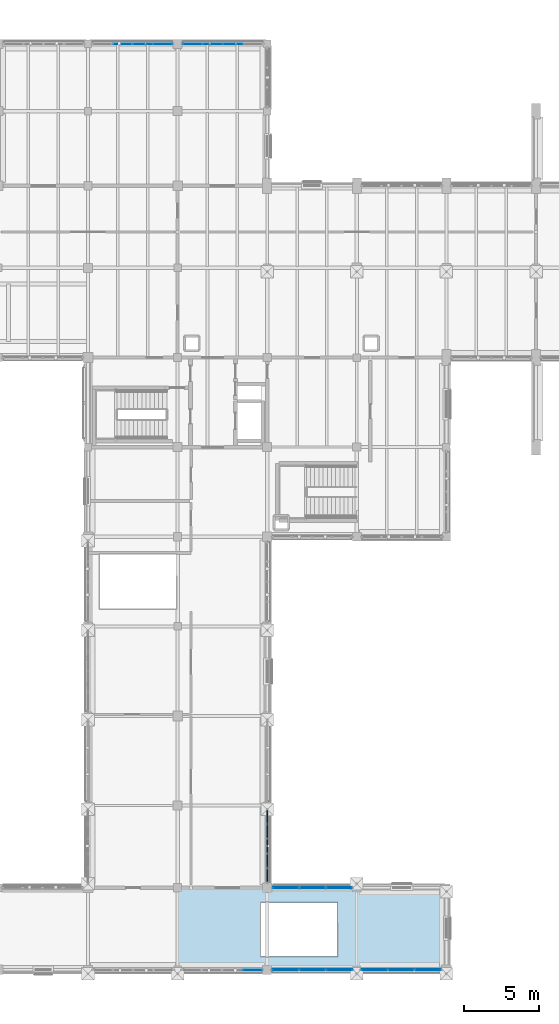
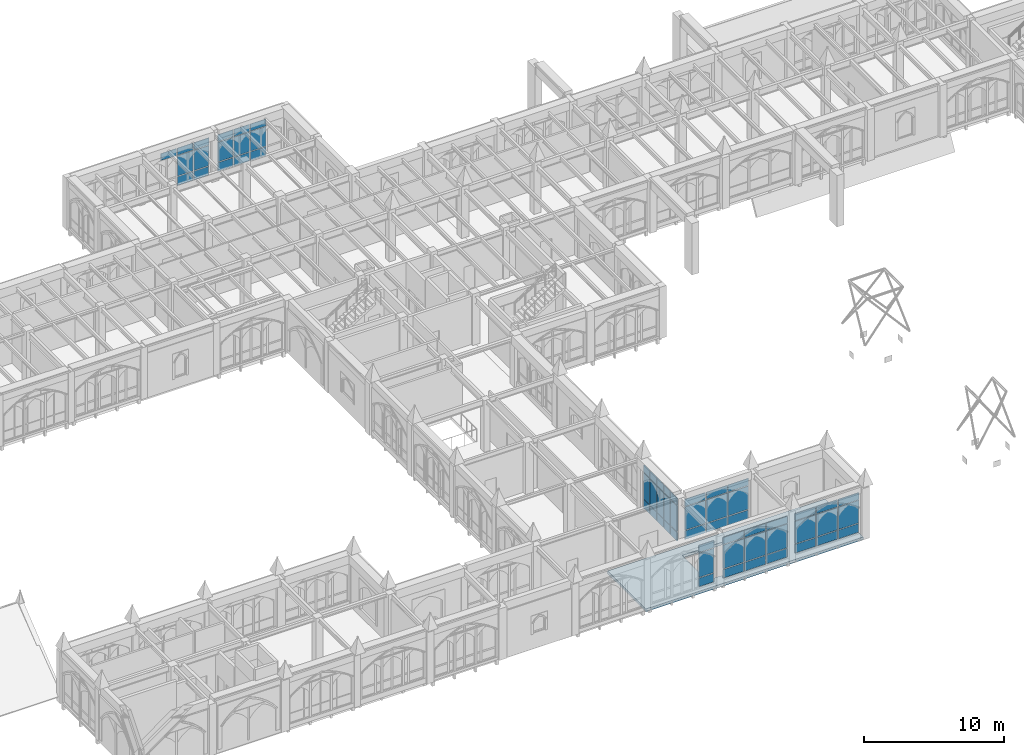
# One storey, part 91 of 143: 61 plates, 1 slab, 7 elements without a shape of their own.
"""IFC4 building model written with IfcOpenShell, lengths in metres."""

import ifcopenshell
import ifcopenshell.guid

model = None  # the IFC model being written
_history = None  # IfcOwnerHistory: only IFC2X3 demands one
_inside = {}  # id of a spatial element -> (the spatial element, [elements in it])
_under = {}  # id of a project, library or spatial element -> (it, [spatial elements below it])
_declared = {}  # id of a project -> (the project, [libraries it declares])
_typed = {}  # id of a type object -> (the type object, [elements of that type])
_made_of = {}  # id of a material, layer set ... -> (it, [elements and type objects made of it])


def new_model(schema):
    """Start an empty IFC model of exactly this schema.

    Asked for "IFC4X3", IfcOpenShell would pick the latest addendum, in which some entities
    have other attributes; the version numbers below select the first issue.
    IFC2X3 requires an IfcOwnerHistory on every rooted entity: one is made here for all.
    """
    global model, _history
    if schema == "IFC4X3":
        model = ifcopenshell.file(schema_version=(4, 3, 0, 0))
    else:
        model = ifcopenshell.file(schema=schema)
    _inside.clear()
    _under.clear()
    _declared.clear()
    _typed.clear()
    _made_of.clear()
    _history = None
    if model.schema == "IFC2X3":
        org = make("IfcOrganization", Name="unknown")
        user = make(
            "IfcPersonAndOrganization",
            ThePerson=make("IfcPerson", FamilyName="unknown"),
            TheOrganization=org,
        )
        app = make(
            "IfcApplication",
            ApplicationDeveloper=org,
            Version="unknown",
            ApplicationFullName="unknown",
            ApplicationIdentifier="unknown",
        )
        _history = make(
            "IfcOwnerHistory",
            OwningUser=user,
            OwningApplication=app,
            ChangeAction="ADDED",
            CreationDate=0,
        )
    return model


def make(cls, **values):
    """One entity of the class cls with the attributes given. An attribute that is None is left unset."""
    return model.create_entity(
        cls, **{name: value for name, value in values.items() if value is not None}
    )


def rooted(cls, **values):
    """An entity with a GlobalId (a new one), such as an element, a storey or a relation."""
    return make(cls, GlobalId=ifcopenshell.guid.new(), OwnerHistory=_history, **values)


def si_unit(unit_type, name, prefix=None):
    """IfcSIUnit, for example si_unit("LENGTHUNIT", "METRE", prefix="MILLI")."""
    return make("IfcSIUnit", UnitType=unit_type, Prefix=prefix, Name=name)


def assignment(units):
    """IfcUnitAssignment: the units of a project."""
    return None if units is None else make("IfcUnitAssignment", Units=units)


def point(xyz):
    """IfcCartesianPoint."""
    return None if xyz is None else make("IfcCartesianPoint", Coordinates=xyz)


def direction(xyz):
    """IfcDirection."""
    return None if xyz is None else make("IfcDirection", DirectionRatios=xyz)


def frame(location, z_axis=None, x_axis=None):
    """IfcAxis2Placement3D, a coordinate frame: its origin and axes. An axis left out is left unset."""
    return make(
        "IfcAxis2Placement3D",
        Location=point(location),
        Axis=direction(z_axis),
        RefDirection=direction(x_axis),
    )


def frame_2d(location, x_axis=None):
    """IfcAxis2Placement2D, a coordinate frame in the plane: its origin and x axis."""
    return make(
        "IfcAxis2Placement2D", Location=point(location), RefDirection=direction(x_axis)
    )


def origin():
    """The frame at (0, 0, 0) with its axes left unset."""
    return frame((0.0, 0.0, 0.0))


def origin_2d():
    """The frame at (0, 0) in the plane with its x axis left unset."""
    return frame_2d((0.0, 0.0))


def place(relative_to, where):
    """IfcLocalPlacement: puts the frame where relative to a parent placement (None: the world)."""
    return make(
        "IfcLocalPlacement", PlacementRelTo=relative_to, RelativePlacement=where
    )


def context(
    kind, dimensions, precision=None, world=None, true_north=None, identifier=None
):
    """IfcGeometricRepresentationContext, for example the 3D "Model" context."""
    return make(
        "IfcGeometricRepresentationContext",
        ContextIdentifier=identifier,
        ContextType=kind,
        CoordinateSpaceDimension=dimensions,
        Precision=precision,
        WorldCoordinateSystem=world,
        TrueNorth=true_north,
    )


def subcontext(parent, identifier, kind, view, scale=None):
    """IfcGeometricRepresentationSubContext, for example "Body" below "Model"."""
    return make(
        "IfcGeometricRepresentationSubContext",
        ContextIdentifier=identifier,
        ContextType=kind,
        ParentContext=parent,
        TargetScale=scale,
        TargetView=view,
    )


def project(units=None, contexts=None):
    """IfcProject with its units and contexts."""
    return rooted(
        "IfcProject",
        Name="project",
        RepresentationContexts=contexts,
        UnitsInContext=assignment(units),
    )


def spatial(cls, under=None, at=None, **own):
    """A site, building, storey or space (cls), placed at a placement, below another one or the project."""
    s = rooted(cls, ObjectPlacement=at, **own)
    if under is not None:
        _under.setdefault(under.id(), (under, []))[1].append(s)
    return s


def polyline(points):
    """IfcPolyline through the points."""
    return make("IfcPolyline", Points=[point(p) for p in points])


def profile(cls, at=None, kind="AREA", **sizes):
    """A parametric profile (cls). Its sizes go by their IFC names, for example OverallWidth=200.0."""
    return make(cls, ProfileType=kind, Position=at, **sizes)


def rectangle(**sizes):
    """IfcRectangleProfileDef."""
    return profile("IfcRectangleProfileDef", **sizes)


def outline(outer, holes=None, kind="AREA"):
    """IfcArbitraryClosedProfileDef: a profile drawn as a closed curve; with holes, ...WithVoids."""
    if holes is None:
        return make("IfcArbitraryClosedProfileDef", ProfileType=kind, OuterCurve=outer)
    return make(
        "IfcArbitraryProfileDefWithVoids",
        ProfileType=kind,
        OuterCurve=outer,
        InnerCurves=holes,
    )


def extrude(swept, where, along, depth):
    """IfcExtrudedAreaSolid: the profile swept, set in the frame where, extruded along a direction by depth."""
    return make(
        "IfcExtrudedAreaSolid",
        SweptArea=swept,
        Position=where,
        ExtrudedDirection=direction(along),
        Depth=depth,
    )


def shape(context_of_items, identifier, shape_type, items):
    """IfcShapeRepresentation: the items that make up one representation, for example the "Body"."""
    return make(
        "IfcShapeRepresentation",
        ContextOfItems=context_of_items,
        RepresentationIdentifier=identifier,
        RepresentationType=shape_type,
        Items=items,
    )


def material(Name=None, Category=None):
    """IfcMaterial."""
    return make("IfcMaterial", Name=Name, Category=Category)


def layer(
    of_material, thickness, ventilated=None, Name=None, Category=None, Priority=None
):
    """IfcMaterialLayer: one layer of a wall or slab, of a material (None: an air gap)."""
    return make(
        "IfcMaterialLayer",
        Material=of_material,
        LayerThickness=thickness,
        IsVentilated=ventilated,
        Name=Name,
        Category=Category,
        Priority=Priority,
    )


def layer_set(layers, Name=None):
    """IfcMaterialLayerSet."""
    return make("IfcMaterialLayerSet", MaterialLayers=layers, LayerSetName=Name)


def made_of(thing, what):
    """Note that an element or type object is made of a material, layer set ...; save() writes the relation."""
    if what is not None:
        _made_of.setdefault(what.id(), (what, []))[1].append(thing)
    return thing


def type_object(cls, material=None, **own):
    """A type object (cls), such as IfcWallType, which elements share."""
    return made_of(rooted(cls, **own), material)


def element(
    cls,
    number,
    at=None,
    inside=None,
    cuts=None,
    type_object=None,
    material=None,
    context=None,
    identifier="Body",
    shape_type=None,
    held_by="IfcProductDefinitionShape",
    body=None,
    shapes=None,
    **own,
):
    """One element of the class cls, such as IfcWall. Its Tag is "e" and its number.

    at: its placement. inside: the storey or other place that contains it. cuts: it is an
    opening in that element (IfcRelVoidsElement). A single representation is given by context,
    identifier, shape_type and body (its items); several are given by shapes. held_by: the class
    of the entity that holds the representations. save() writes the other relations.
    """
    e = rooted(cls, Tag="e%d" % number, ObjectPlacement=at, **own)
    if body is not None:
        shapes = [shape(context, identifier, shape_type, body)]
    if shapes is not None:
        e.Representation = make(held_by, Representations=shapes)
    if inside is not None:
        _inside.setdefault(inside.id(), (inside, []))[1].append(e)
    if cuts is not None:
        rooted(
            "IfcRelVoidsElement", RelatingBuildingElement=cuts, RelatedOpeningElement=e
        )
    if type_object is not None:
        _typed.setdefault(type_object.id(), (type_object, []))[1].append(e)
    return made_of(e, material)


def aggregate(whole, parts):
    """IfcRelAggregates: a whole, such as a stair, and the parts it consists of."""
    return rooted("IfcRelAggregates", RelatingObject=whole, RelatedObjects=parts)


def save(model, path):
    """Write the relations noted so far, then the file.

    IfcRelAggregates (storeys below a building ...), IfcRelContainedInSpatialStructure (elements
    in a storey), IfcRelDefinesByType, IfcRelAssociatesMaterial and IfcRelDeclares: one each for
    every whole, place, type object, material and project.
    """
    for whole, parts in _under.values():
        aggregate(whole, parts)
    for where, things in _inside.values():
        rooted(
            "IfcRelContainedInSpatialStructure",
            RelatedElements=things,
            RelatingStructure=where,
        )
    for kind, things in _typed.values():
        rooted("IfcRelDefinesByType", RelatedObjects=things, RelatingType=kind)
    for what, things in _made_of.values():
        rooted("IfcRelAssociatesMaterial", RelatedObjects=things, RelatingMaterial=what)
    for by, libraries in _declared.values():
        rooted("IfcRelDeclares", RelatingContext=by, RelatedDefinitions=libraries)
    model.write(path)


model = new_model("IFC4")

# Units and contexts
model_context = context("Model", 3, precision=1e-05, world=origin(), true_north=direction((0.0, 1.0)))
body_context = subcontext(model_context, "Body", "Model", "MODEL_VIEW")
ifc_project = project(units=[si_unit("LENGTHUNIT", "METRE"), si_unit("AREAUNIT", "SQUARE_METRE"), si_unit("VOLUMEUNIT", "CUBIC_METRE"), si_unit("PLANEANGLEUNIT", "RADIAN"), si_unit("MASSUNIT", "GRAM", prefix="KILO")], contexts=[model_context])

# Site, building, storey
site_placement = place(None, origin())
site = spatial("IfcSite", under=ifc_project, at=site_placement, CompositionType="ELEMENT")
building_placement = place(site_placement, origin())
building = spatial("IfcBuilding", under=site, at=building_placement, Name="Cumevento Cable Car Station", CompositionType="ELEMENT")
storey_placement = place(building_placement, frame((0.0, 0.0, 9.0)))
storey = spatial("IfcBuildingStorey", under=building, at=storey_placement, Name="L03", CompositionType="ELEMENT", Elevation=9.0)

# Slab
ifc_material_1 = material(Name="Concrete C40/50", Category="concrete")
ifc_layer_1 = layer(ifc_material_1, 0.236083984375)
ifc_layer_set_1 = layer_set([ifc_layer_1], Name="Concrete C40/50")
slab_type = type_object("IfcSlabType", Name="Concrete Deck FS-236 236", PredefinedType="FLOOR", material=ifc_layer_set_1)
slab_placement = place(storey_placement, frame((0.0, 0.0, -0.236083984375)))
element("IfcSlab", 1, at=slab_placement, inside=storey, type_object=slab_type, Name="Floor Slab FS-236 L03 B_V1b.2", PredefinedType="FLOOR", context=body_context, shape_type="SweptSolid", body=[
    extrude(outline(polyline([(64.0, 4.0), (82.0, 4.0), (82.0, 9.5), (64.0, 9.5), (64.0, 4.0)]), holes=[polyline([(69.60009765625, 4.89990234375), (74.699951171875, 4.89990234375), (74.699951171875, 8.5), (69.60009765625, 8.5), (69.60009765625, 4.89990234375)])]), origin(), (0.0, 0.0, 1.0), 0.236083984375),
])

# Curtain wall, plates
ifc_material_2 = material(Name="Anodised Bronze Aluminium AW-6063-T6", Category="aluminium")
ifc_layer_2 = layer(ifc_material_2, 0.23193359375)
ifc_layer_set_2 = layer_set([ifc_layer_2], Name="Anodised Bronze Aluminium AW-6063-T6")
curtain_wall_type_1 = type_object("IfcCurtainWallType", Name="Lancet Curtain Wall CW-13 1530", PredefinedType="NOTDEFINED", material=ifc_layer_set_2)
curtain_wall_1_placement = place(storey_placement, origin())
curtain_wall_1 = element("IfcCurtainWall", 2, at=curtain_wall_1_placement, inside=storey, type_object=curtain_wall_type_1, Name="Lancet Curtain Wall CW-13 L03 #76", PredefinedType="NOTDEFINED")
ifc_material_3 = material(Name="Solar Control Laminated Double Glazing", Category="glass")
ifc_layer_3 = layer(ifc_material_3, 0.0458984375)
ifc_layer_set_3 = layer_set([ifc_layer_3], Name="Solar Control Laminated Double Glazing")
plate_type_1 = type_object("IfcPlateType", Name="Glazed Panel CWP-07 46", PredefinedType="CURTAIN_PANEL", material=ifc_layer_set_3)
plate_1_placement = place(storey_placement, frame((69.00244140625, 4.0, 0.425048828125), z_axis=(0.0, 0.0, 1.0), x_axis=(-1.0, 0.0, 0.0)))
plate_1 = element("IfcPlate", 3, at=plate_1_placement, type_object=plate_type_1, Name="CW-13 panel 1.1", PredefinedType="CURTAIN_PANEL", context=body_context, shape_type="SweptSolid", body=[
    extrude(rectangle(XDim=1.264892578125, YDim=0.0458984375, at=origin_2d()), origin(), (0.0, 0.0, 1.0), 0.75244140625),
])
plate_2_placement = place(storey_placement, frame((69.00244140625, 4.0, 1.24267578125), z_axis=(0.0, 0.0, 1.0), x_axis=(-1.0, 0.0, 0.0)))
plate_2 = element("IfcPlate", 4, at=plate_2_placement, type_object=plate_type_1, Name="CW-13 panel 1.2", PredefinedType="CURTAIN_PANEL", context=body_context, shape_type="SweptSolid", body=[
    extrude(rectangle(XDim=1.264892578125, YDim=0.0458984375, at=origin_2d()), origin(), (0.0, 0.0, 1.0), 2.117919921875),
])
plate_3_placement = place(storey_placement, frame((69.00244140625, 4.0, 3.425537109375), z_axis=(0.0, 0.0, 1.0), x_axis=(-1.0, 0.0, 0.0)))
plate_3 = element("IfcPlate", 5, at=plate_3_placement, type_object=plate_type_1, Name="CW-13 panel 1.3", PredefinedType="CURTAIN_PANEL", context=body_context, shape_type="SweptSolid", body=[
    extrude(rectangle(XDim=1.264892578125, YDim=0.0458984375, at=origin_2d()), origin(), (0.0, 0.0, 1.0), 0.6025390625),
])
aggregate(curtain_wall_1, [plate_1, plate_2, plate_3])

ifc_material_4 = material(Name="Anodised Bronze Aluminium AW-6063-T6", Category="aluminium")
ifc_layer_4 = layer(ifc_material_4, 0.196044921875)
ifc_layer_set_4 = layer_set([ifc_layer_4], Name="Anodised Bronze Aluminium AW-6063-T6")
curtain_wall_type_2 = type_object("IfcCurtainWallType", Name="Lancet Curtain Wall CW-07 1290", PredefinedType="NOTDEFINED", material=ifc_layer_set_4)
curtain_wall_2_placement = place(storey_placement, origin())
curtain_wall_2 = element("IfcCurtainWall", 6, at=curtain_wall_2_placement, inside=storey, type_object=curtain_wall_type_2, Name="Lancet Curtain Wall CW-07 L03 #118", PredefinedType="NOTDEFINED")
plate_4_placement = place(storey_placement, frame((60.293701171875, 66.0, 3.16552734375), z_axis=(0.0, 0.0, 1.0), x_axis=(1.0, 0.0, 0.0)))
plate_4 = element("IfcPlate", 7, at=plate_4_placement, type_object=plate_type_1, Name="CW-07 panel 2.3", PredefinedType="CURTAIN_PANEL", context=body_context, shape_type="SweptSolid", body=[
    extrude(rectangle(XDim=1.297607421875, YDim=0.0458984375, at=origin_2d()), origin(), (0.0, 0.0, 1.0), 0.6025390625),
])
plate_5_placement = place(storey_placement, frame((61.65625, 66.0, 0.525146484375), z_axis=(0.0, 0.0, 1.0), x_axis=(1.0, 0.0, 0.0)))
plate_5 = element("IfcPlate", 8, at=plate_5_placement, type_object=plate_type_1, Name="CW-07 panel 3.1", PredefinedType="CURTAIN_PANEL", context=body_context, shape_type="SweptSolid", body=[
    extrude(rectangle(XDim=1.297607421875, YDim=0.0458984375, at=origin_2d()), origin(), (0.0, 0.0, 1.0), 0.75244140625),
])
plate_6_placement = place(storey_placement, frame((61.65625, 66.0, 1.34228515625), z_axis=(0.0, 0.0, 1.0), x_axis=(1.0, 0.0, 0.0)))
plate_6 = element("IfcPlate", 9, at=plate_6_placement, type_object=plate_type_1, Name="CW-07 panel 3.2", PredefinedType="CURTAIN_PANEL", context=body_context, shape_type="SweptSolid", body=[
    extrude(rectangle(XDim=1.297607421875, YDim=0.0458984375, at=origin_2d()), origin(), (0.0, 0.0, 1.0), 1.758056640625),
])
plate_7_placement = place(storey_placement, frame((61.65625, 66.0, 3.16552734375), z_axis=(0.0, 0.0, 1.0), x_axis=(1.0, 0.0, 0.0)))
plate_7 = element("IfcPlate", 10, at=plate_7_placement, type_object=plate_type_1, Name="CW-07 panel 3.3", PredefinedType="CURTAIN_PANEL", context=body_context, shape_type="SweptSolid", body=[
    extrude(rectangle(XDim=1.297607421875, YDim=0.0458984375, at=origin_2d()), origin(), (0.0, 0.0, 1.0), 0.6025390625),
])
plate_8_placement = place(storey_placement, frame((63.00244140625, 66.0, 0.525146484375), z_axis=(0.0, 0.0, 1.0), x_axis=(1.0, 0.0, 0.0)))
plate_8 = element("IfcPlate", 11, at=plate_8_placement, type_object=plate_type_1, Name="CW-07 panel 4.1", PredefinedType="CURTAIN_PANEL", context=body_context, shape_type="SweptSolid", body=[
    extrude(rectangle(XDim=1.264892578125, YDim=0.0458984375, at=origin_2d()), origin(), (0.0, 0.0, 1.0), 0.75244140625),
])
plate_9_placement = place(storey_placement, frame((63.00244140625, 66.0, 1.34228515625), z_axis=(0.0, 0.0, 1.0), x_axis=(1.0, 0.0, 0.0)))
plate_9 = element("IfcPlate", 12, at=plate_9_placement, type_object=plate_type_1, Name="CW-07 panel 4.2", PredefinedType="CURTAIN_PANEL", context=body_context, shape_type="SweptSolid", body=[
    extrude(rectangle(XDim=1.264892578125, YDim=0.0458984375, at=origin_2d()), origin(), (0.0, 0.0, 1.0), 1.758056640625),
])
plate_10_placement = place(storey_placement, frame((63.00244140625, 66.0, 3.16552734375), z_axis=(0.0, 0.0, 1.0), x_axis=(1.0, 0.0, 0.0)))
plate_10 = element("IfcPlate", 13, at=plate_10_placement, type_object=plate_type_1, Name="CW-07 panel 4.3", PredefinedType="CURTAIN_PANEL", context=body_context, shape_type="SweptSolid", body=[
    extrude(rectangle(XDim=1.264892578125, YDim=0.0458984375, at=origin_2d()), origin(), (0.0, 0.0, 1.0), 0.6025390625),
])
aggregate(curtain_wall_2, [plate_4, plate_5, plate_6, plate_7, plate_8, plate_9, plate_10])

ifc_material_5 = material(Name="Anodised Bronze Aluminium AW-6063-T6", Category="aluminium")
ifc_layer_5 = layer(ifc_material_5, 0.238037109375)
ifc_layer_set_5 = layer_set([ifc_layer_5], Name="Anodised Bronze Aluminium AW-6063-T6")
curtain_wall_type_3 = type_object("IfcCurtainWallType", Name="Lancet Curtain Wall CW-14 1570", PredefinedType="NOTDEFINED", material=ifc_layer_set_5)
curtain_wall_3_placement = place(storey_placement, origin())
curtain_wall_3 = element("IfcCurtainWall", 14, at=curtain_wall_3_placement, inside=storey, type_object=curtain_wall_type_3, Name="Lancet Curtain Wall CW-14 L03 #77", PredefinedType="NOTDEFINED")
ifc_material_6 = material(Name="Solar Control Laminated Double Glazing", Category="glass")
ifc_layer_6 = layer(ifc_material_6, 0.050048828125)
ifc_layer_set_6 = layer_set([ifc_layer_6], Name="Solar Control Laminated Double Glazing")
plate_type_2 = type_object("IfcPlateType", Name="Glazed Panel CWP-08 50", PredefinedType="CURTAIN_PANEL", material=ifc_layer_set_6)
plate_11_placement = place(storey_placement, frame((74.825439453125, 4.0, 0.47509765625), z_axis=(0.0, 0.0, 1.0), x_axis=(-1.0, 0.0, 0.0)))
plate_11 = element("IfcPlate", 15, at=plate_11_placement, type_object=plate_type_2, Name="CW-14 panel 1.1", PredefinedType="CURTAIN_PANEL", context=body_context, shape_type="SweptSolid", body=[
    extrude(rectangle(XDim=1.71923828125, YDim=0.050048828125, at=origin_2d()), origin(), (0.0, 0.0, 1.0), 0.75244140625),
])
plate_12_placement = place(storey_placement, frame((74.825439453125, 4.0, 1.29248046875), z_axis=(0.0, 0.0, 1.0), x_axis=(-1.0, 0.0, 0.0)))
plate_12 = element("IfcPlate", 16, at=plate_12_placement, type_object=plate_type_2, Name="CW-14 panel 1.2", PredefinedType="CURTAIN_PANEL", context=body_context, shape_type="SweptSolid", body=[
    extrude(rectangle(XDim=1.71923828125, YDim=0.050048828125, at=origin_2d()), origin(), (0.0, 0.0, 1.0), 2.068115234375),
])
plate_13_placement = place(storey_placement, frame((74.825439453125, 4.0, 3.425537109375), z_axis=(0.0, 0.0, 1.0), x_axis=(-1.0, 0.0, 0.0)))
plate_13 = element("IfcPlate", 17, at=plate_13_placement, type_object=plate_type_2, Name="CW-14 panel 1.3", PredefinedType="CURTAIN_PANEL", context=body_context, shape_type="SweptSolid", body=[
    extrude(rectangle(XDim=1.71923828125, YDim=0.050048828125, at=origin_2d()), origin(), (0.0, 0.0, 1.0), 0.6025390625),
])
plate_14_placement = place(storey_placement, frame((73.02490234375, 4.0, 0.47509765625), z_axis=(0.0, 0.0, 1.0), x_axis=(-1.0, 0.0, 0.0)))
plate_14 = element("IfcPlate", 18, at=plate_14_placement, type_object=plate_type_2, Name="CW-14 panel 2.1", PredefinedType="CURTAIN_PANEL", context=body_context, shape_type="SweptSolid", body=[
    extrude(rectangle(XDim=1.751708984375, YDim=0.050048828125, at=origin_2d()), origin(), (0.0, 0.0, 1.0), 0.75244140625),
])
plate_15_placement = place(storey_placement, frame((73.02490234375, 4.0, 1.29248046875), z_axis=(0.0, 0.0, 1.0), x_axis=(-1.0, 0.0, 0.0)))
plate_15 = element("IfcPlate", 19, at=plate_15_placement, type_object=plate_type_2, Name="CW-14 panel 2.2", PredefinedType="CURTAIN_PANEL", context=body_context, shape_type="SweptSolid", body=[
    extrude(rectangle(XDim=1.751708984375, YDim=0.050048828125, at=origin_2d()), origin(), (0.0, 0.0, 1.0), 2.068115234375),
])
plate_16_placement = place(storey_placement, frame((73.02490234375, 4.0, 3.425537109375), z_axis=(0.0, 0.0, 1.0), x_axis=(-1.0, 0.0, 0.0)))
plate_16 = element("IfcPlate", 20, at=plate_16_placement, type_object=plate_type_2, Name="CW-14 panel 2.3", PredefinedType="CURTAIN_PANEL", context=body_context, shape_type="SweptSolid", body=[
    extrude(rectangle(XDim=1.751708984375, YDim=0.050048828125, at=origin_2d()), origin(), (0.0, 0.0, 1.0), 0.6025390625),
])
plate_17_placement = place(storey_placement, frame((71.224609375, 4.0, 0.47509765625), z_axis=(0.0, 0.0, 1.0), x_axis=(-1.0, 0.0, 0.0)))
plate_17 = element("IfcPlate", 21, at=plate_17_placement, type_object=plate_type_2, Name="CW-14 panel 3.1", PredefinedType="CURTAIN_PANEL", context=body_context, shape_type="SweptSolid", body=[
    extrude(rectangle(XDim=1.71923828125, YDim=0.050048828125, at=origin_2d()), origin(), (0.0, 0.0, 1.0), 0.75244140625),
])
plate_18_placement = place(storey_placement, frame((71.224609375, 4.0, 1.29248046875), z_axis=(0.0, 0.0, 1.0), x_axis=(-1.0, 0.0, 0.0)))
plate_18 = element("IfcPlate", 22, at=plate_18_placement, type_object=plate_type_2, Name="CW-14 panel 3.2", PredefinedType="CURTAIN_PANEL", context=body_context, shape_type="SweptSolid", body=[
    extrude(rectangle(XDim=1.71923828125, YDim=0.050048828125, at=origin_2d()), origin(), (0.0, 0.0, 1.0), 2.068115234375),
])
plate_19_placement = place(storey_placement, frame((71.224609375, 4.0, 3.425537109375), z_axis=(0.0, 0.0, 1.0), x_axis=(-1.0, 0.0, 0.0)))
plate_19 = element("IfcPlate", 23, at=plate_19_placement, type_object=plate_type_2, Name="CW-14 panel 3.3", PredefinedType="CURTAIN_PANEL", context=body_context, shape_type="SweptSolid", body=[
    extrude(rectangle(XDim=1.71923828125, YDim=0.050048828125, at=origin_2d()), origin(), (0.0, 0.0, 1.0), 0.6025390625),
])
aggregate(curtain_wall_3, [plate_11, plate_12, plate_13, plate_14, plate_15, plate_16, plate_17, plate_18, plate_19])

ifc_material_7 = material(Name="Anodised Bronze Aluminium AW-6063-T6", Category="aluminium")
ifc_layer_7 = layer(ifc_material_7, 0.201904296875)
ifc_layer_set_7 = layer_set([ifc_layer_7], Name="Anodised Bronze Aluminium AW-6063-T6")
curtain_wall_type_4 = type_object("IfcCurtainWallType", Name="Lancet Curtain Wall CW-08 1330", PredefinedType="NOTDEFINED", material=ifc_layer_set_7)
curtain_wall_4_placement = place(storey_placement, origin())
curtain_wall_4 = element("IfcCurtainWall", 24, at=curtain_wall_4_placement, inside=storey, type_object=curtain_wall_type_4, Name="Lancet Curtain Wall CW-08 L03 #119", PredefinedType="NOTDEFINED")
plate_20_placement = place(storey_placement, frame((64.99755859375, 66.0, 0.5849609375), z_axis=(0.0, 0.0, 1.0), x_axis=(1.0, 0.0, 0.0)))
plate_20 = element("IfcPlate", 25, at=plate_20_placement, type_object=plate_type_2, Name="CW-08 panel 1.1", PredefinedType="CURTAIN_PANEL", context=body_context, shape_type="SweptSolid", body=[
    extrude(rectangle(XDim=1.264892578125, YDim=0.050048828125, at=origin_2d()), origin(), (0.0, 0.0, 1.0), 0.75244140625),
])
plate_21_placement = place(storey_placement, frame((64.99755859375, 66.0, 1.40234375), z_axis=(0.0, 0.0, 1.0), x_axis=(1.0, 0.0, 0.0)))
plate_21 = element("IfcPlate", 26, at=plate_21_placement, type_object=plate_type_2, Name="CW-08 panel 1.2", PredefinedType="CURTAIN_PANEL", context=body_context, shape_type="SweptSolid", body=[
    extrude(rectangle(XDim=1.264892578125, YDim=0.050048828125, at=origin_2d()), origin(), (0.0, 0.0, 1.0), 1.697998046875),
])
plate_22_placement = place(storey_placement, frame((64.99755859375, 66.0, 3.16552734375), z_axis=(0.0, 0.0, 1.0), x_axis=(1.0, 0.0, 0.0)))
plate_22 = element("IfcPlate", 27, at=plate_22_placement, type_object=plate_type_2, Name="CW-08 panel 1.3", PredefinedType="CURTAIN_PANEL", context=body_context, shape_type="SweptSolid", body=[
    extrude(rectangle(XDim=1.264892578125, YDim=0.050048828125, at=origin_2d()), origin(), (0.0, 0.0, 1.0), 0.6025390625),
])
plate_23_placement = place(storey_placement, frame((66.34375, 66.0, 0.5849609375), z_axis=(0.0, 0.0, 1.0), x_axis=(1.0, 0.0, 0.0)))
plate_23 = element("IfcPlate", 28, at=plate_23_placement, type_object=plate_type_2, Name="CW-08 panel 2.1", PredefinedType="CURTAIN_PANEL", context=body_context, shape_type="SweptSolid", body=[
    extrude(rectangle(XDim=1.297607421875, YDim=0.050048828125, at=origin_2d()), origin(), (0.0, 0.0, 1.0), 0.75244140625),
])
plate_24_placement = place(storey_placement, frame((66.34375, 66.0, 1.40234375), z_axis=(0.0, 0.0, 1.0), x_axis=(1.0, 0.0, 0.0)))
plate_24 = element("IfcPlate", 29, at=plate_24_placement, type_object=plate_type_2, Name="CW-08 panel 2.2", PredefinedType="CURTAIN_PANEL", context=body_context, shape_type="SweptSolid", body=[
    extrude(rectangle(XDim=1.297607421875, YDim=0.050048828125, at=origin_2d()), origin(), (0.0, 0.0, 1.0), 1.697998046875),
])
plate_25_placement = place(storey_placement, frame((66.34375, 66.0, 3.16552734375), z_axis=(0.0, 0.0, 1.0), x_axis=(1.0, 0.0, 0.0)))
plate_25 = element("IfcPlate", 30, at=plate_25_placement, type_object=plate_type_2, Name="CW-08 panel 2.3", PredefinedType="CURTAIN_PANEL", context=body_context, shape_type="SweptSolid", body=[
    extrude(rectangle(XDim=1.297607421875, YDim=0.050048828125, at=origin_2d()), origin(), (0.0, 0.0, 1.0), 0.6025390625),
])
plate_26_placement = place(storey_placement, frame((67.706298828125, 66.0, 0.5849609375), z_axis=(0.0, 0.0, 1.0), x_axis=(1.0, 0.0, 0.0)))
plate_26 = element("IfcPlate", 31, at=plate_26_placement, type_object=plate_type_2, Name="CW-08 panel 3.1", PredefinedType="CURTAIN_PANEL", context=body_context, shape_type="SweptSolid", body=[
    extrude(rectangle(XDim=1.297607421875, YDim=0.050048828125, at=origin_2d()), origin(), (0.0, 0.0, 1.0), 0.75244140625),
])
plate_27_placement = place(storey_placement, frame((67.706298828125, 66.0, 1.40234375), z_axis=(0.0, 0.0, 1.0), x_axis=(1.0, 0.0, 0.0)))
plate_27 = element("IfcPlate", 32, at=plate_27_placement, type_object=plate_type_2, Name="CW-08 panel 3.2", PredefinedType="CURTAIN_PANEL", context=body_context, shape_type="SweptSolid", body=[
    extrude(rectangle(XDim=1.297607421875, YDim=0.050048828125, at=origin_2d()), origin(), (0.0, 0.0, 1.0), 1.697998046875),
])
plate_28_placement = place(storey_placement, frame((67.706298828125, 66.0, 3.16552734375), z_axis=(0.0, 0.0, 1.0), x_axis=(1.0, 0.0, 0.0)))
plate_28 = element("IfcPlate", 33, at=plate_28_placement, type_object=plate_type_2, Name="CW-08 panel 3.3", PredefinedType="CURTAIN_PANEL", context=body_context, shape_type="SweptSolid", body=[
    extrude(rectangle(XDim=1.297607421875, YDim=0.050048828125, at=origin_2d()), origin(), (0.0, 0.0, 1.0), 0.6025390625),
])
aggregate(curtain_wall_4, [plate_20, plate_21, plate_22, plate_23, plate_24, plate_25, plate_26, plate_27, plate_28])

ifc_material_8 = material(Name="Anodised Bronze Aluminium AW-6063-T6", Category="aluminium")
ifc_layer_8 = layer(ifc_material_8, 0.243896484375)
ifc_layer_set_8 = layer_set([ifc_layer_8], Name="Anodised Bronze Aluminium AW-6063-T6")
curtain_wall_type_5 = type_object("IfcCurtainWallType", Name="Lancet Curtain Wall CW-15 1610", PredefinedType="NOTDEFINED", material=ifc_layer_set_8)
curtain_wall_5_placement = place(storey_placement, origin())
curtain_wall_5 = element("IfcCurtainWall", 34, at=curtain_wall_5_placement, inside=storey, type_object=curtain_wall_type_5, Name="Lancet Curtain Wall CW-15 L03 #78", PredefinedType="NOTDEFINED")
ifc_material_9 = material(Name="Insulated Bronze Aluminium Spandrel Panel", Category="aluminium")
ifc_layer_9 = layer(ifc_material_9, 0.054931640625)
ifc_layer_set_9 = layer_set([ifc_layer_9], Name="Insulated Bronze Aluminium Spandrel Panel")
plate_type_3 = type_object("IfcPlateType", Name="Spandrel Panel CWP-09 55", PredefinedType="CURTAIN_PANEL", material=ifc_layer_set_9)
plate_29_placement = place(storey_placement, frame((71.2412109375, 9.5, 0.525146484375), z_axis=(0.0, 0.0, 1.0), x_axis=(1.0, 0.0, 0.0)))
plate_29 = element("IfcPlate", 35, at=plate_29_placement, type_object=plate_type_3, Name="CW-15 panel 1.1", PredefinedType="CURTAIN_PANEL", context=body_context, shape_type="SweptSolid", body=[
    extrude(rectangle(XDim=1.702392578125, YDim=0.054931640625, at=origin_2d()), origin(), (0.0, 0.0, 1.0), 0.75244140625),
])
plate_30_placement = place(storey_placement, frame((71.2412109375, 9.5, 1.342529296875), z_axis=(0.0, 0.0, 1.0), x_axis=(1.0, 0.0, 0.0)))
plate_30 = element("IfcPlate", 36, at=plate_30_placement, type_object=plate_type_3, Name="CW-15 panel 1.2", PredefinedType="CURTAIN_PANEL", context=body_context, shape_type="SweptSolid", body=[
    extrude(rectangle(XDim=1.702392578125, YDim=0.054931640625, at=origin_2d()), origin(), (0.0, 0.0, 1.0), 2.01806640625),
])
plate_31_placement = place(storey_placement, frame((71.2412109375, 9.5, 3.425537109375), z_axis=(0.0, 0.0, 1.0), x_axis=(1.0, 0.0, 0.0)))
plate_31 = element("IfcPlate", 37, at=plate_31_placement, type_object=plate_type_3, Name="CW-15 panel 1.3", PredefinedType="CURTAIN_PANEL", context=body_context, shape_type="SweptSolid", body=[
    extrude(rectangle(XDim=1.702392578125, YDim=0.054931640625, at=origin_2d()), origin(), (0.0, 0.0, 1.0), 0.6025390625),
])
plate_32_placement = place(storey_placement, frame((73.02490234375, 9.5, 0.525146484375), z_axis=(0.0, 0.0, 1.0), x_axis=(1.0, 0.0, 0.0)))
plate_32 = element("IfcPlate", 38, at=plate_32_placement, type_object=plate_type_3, Name="CW-15 panel 2.1", PredefinedType="CURTAIN_PANEL", context=body_context, shape_type="SweptSolid", body=[
    extrude(rectangle(XDim=1.735107421875, YDim=0.054931640625, at=origin_2d()), origin(), (0.0, 0.0, 1.0), 0.75244140625),
])
plate_33_placement = place(storey_placement, frame((73.02490234375, 9.5, 1.342529296875), z_axis=(0.0, 0.0, 1.0), x_axis=(1.0, 0.0, 0.0)))
plate_33 = element("IfcPlate", 39, at=plate_33_placement, type_object=plate_type_3, Name="CW-15 panel 2.2", PredefinedType="CURTAIN_PANEL", context=body_context, shape_type="SweptSolid", body=[
    extrude(rectangle(XDim=1.735107421875, YDim=0.054931640625, at=origin_2d()), origin(), (0.0, 0.0, 1.0), 2.01806640625),
])
plate_34_placement = place(storey_placement, frame((73.02490234375, 9.5, 3.425537109375), z_axis=(0.0, 0.0, 1.0), x_axis=(1.0, 0.0, 0.0)))
plate_34 = element("IfcPlate", 40, at=plate_34_placement, type_object=plate_type_3, Name="CW-15 panel 2.3", PredefinedType="CURTAIN_PANEL", context=body_context, shape_type="SweptSolid", body=[
    extrude(rectangle(XDim=1.735107421875, YDim=0.054931640625, at=origin_2d()), origin(), (0.0, 0.0, 1.0), 0.6025390625),
])
plate_35_placement = place(storey_placement, frame((74.808837890625, 9.5, 0.525146484375), z_axis=(0.0, 0.0, 1.0), x_axis=(1.0, 0.0, 0.0)))
plate_35 = element("IfcPlate", 41, at=plate_35_placement, type_object=plate_type_3, Name="CW-15 panel 3.1", PredefinedType="CURTAIN_PANEL", context=body_context, shape_type="SweptSolid", body=[
    extrude(rectangle(XDim=1.702392578125, YDim=0.054931640625, at=origin_2d()), origin(), (0.0, 0.0, 1.0), 0.75244140625),
])
plate_36_placement = place(storey_placement, frame((74.808837890625, 9.5, 1.342529296875), z_axis=(0.0, 0.0, 1.0), x_axis=(1.0, 0.0, 0.0)))
plate_36 = element("IfcPlate", 42, at=plate_36_placement, type_object=plate_type_3, Name="CW-15 panel 3.2", PredefinedType="CURTAIN_PANEL", context=body_context, shape_type="SweptSolid", body=[
    extrude(rectangle(XDim=1.702392578125, YDim=0.054931640625, at=origin_2d()), origin(), (0.0, 0.0, 1.0), 2.01806640625),
])
plate_37_placement = place(storey_placement, frame((74.808837890625, 9.5, 3.425537109375), z_axis=(0.0, 0.0, 1.0), x_axis=(1.0, 0.0, 0.0)))
plate_37 = element("IfcPlate", 43, at=plate_37_placement, type_object=plate_type_3, Name="CW-15 panel 3.3", PredefinedType="CURTAIN_PANEL", context=body_context, shape_type="SweptSolid", body=[
    extrude(rectangle(XDim=1.702392578125, YDim=0.054931640625, at=origin_2d()), origin(), (0.0, 0.0, 1.0), 0.6025390625),
])
aggregate(curtain_wall_5, [plate_29, plate_30, plate_31, plate_32, plate_33, plate_34, plate_35, plate_36, plate_37])

ifc_material_10 = material(Name="Anodised Bronze Aluminium AW-6063-T6", Category="aluminium")
ifc_layer_10 = layer(ifc_material_10, 0.25)
ifc_layer_set_10 = layer_set([ifc_layer_10], Name="Anodised Bronze Aluminium AW-6063-T6")
curtain_wall_type_6 = type_object("IfcCurtainWallType", Name="Lancet Curtain Wall CW-16 1650", PredefinedType="NOTDEFINED", material=ifc_layer_set_10)
curtain_wall_6_placement = place(storey_placement, origin())
curtain_wall_6 = element("IfcCurtainWall", 44, at=curtain_wall_6_placement, inside=storey, type_object=curtain_wall_type_6, Name="Lancet Curtain Wall CW-16 L03 #79", PredefinedType="NOTDEFINED")
ifc_material_11 = material(Name="Insulated Bronze Aluminium Spandrel Panel", Category="aluminium")
ifc_layer_11 = layer(ifc_material_11, 0.06005859375)
ifc_layer_set_11 = layer_set([ifc_layer_11], Name="Insulated Bronze Aluminium Spandrel Panel")
plate_type_4 = type_object("IfcPlateType", Name="Spandrel Panel CWP-10 60", PredefinedType="CURTAIN_PANEL", material=ifc_layer_set_11)
plate_38_placement = place(storey_placement, frame((80.754638671875, 4.0, 0.5849609375), z_axis=(0.0, 0.0, 1.0), x_axis=(-1.0, 0.0, 0.0)))
plate_38 = element("IfcPlate", 45, at=plate_38_placement, type_object=plate_type_4, Name="CW-16 panel 1.1", PredefinedType="CURTAIN_PANEL", context=body_context, shape_type="SweptSolid", body=[
    extrude(rectangle(XDim=1.7109375, YDim=0.06005859375, at=origin_2d()), origin(), (0.0, 0.0, 1.0), 0.75244140625),
])
plate_39_placement = place(storey_placement, frame((80.754638671875, 4.0, 1.402587890625), z_axis=(0.0, 0.0, 1.0), x_axis=(-1.0, 0.0, 0.0)))
plate_39 = element("IfcPlate", 46, at=plate_39_placement, type_object=plate_type_4, Name="CW-16 panel 1.2", PredefinedType="CURTAIN_PANEL", context=body_context, shape_type="SweptSolid", body=[
    extrude(rectangle(XDim=1.7109375, YDim=0.06005859375, at=origin_2d()), origin(), (0.0, 0.0, 1.0), 1.9580078125),
])
plate_40_placement = place(storey_placement, frame((80.754638671875, 4.0, 3.425537109375), z_axis=(0.0, 0.0, 1.0), x_axis=(-1.0, 0.0, 0.0)))
plate_40 = element("IfcPlate", 47, at=plate_40_placement, type_object=plate_type_4, Name="CW-16 panel 1.3", PredefinedType="CURTAIN_PANEL", context=body_context, shape_type="SweptSolid", body=[
    extrude(rectangle(XDim=1.7109375, YDim=0.06005859375, at=origin_2d()), origin(), (0.0, 0.0, 1.0), 0.6025390625),
])
plate_41_placement = place(storey_placement, frame((78.96240234375, 4.0, 0.5849609375), z_axis=(0.0, 0.0, 1.0), x_axis=(-1.0, 0.0, 0.0)))
plate_41 = element("IfcPlate", 48, at=plate_41_placement, type_object=plate_type_4, Name="CW-16 panel 2.1", PredefinedType="CURTAIN_PANEL", context=body_context, shape_type="SweptSolid", body=[
    extrude(rectangle(XDim=1.743408203125, YDim=0.06005859375, at=origin_2d()), origin(), (0.0, 0.0, 1.0), 0.75244140625),
])
plate_42_placement = place(storey_placement, frame((78.96240234375, 4.0, 1.402587890625), z_axis=(0.0, 0.0, 1.0), x_axis=(-1.0, 0.0, 0.0)))
plate_42 = element("IfcPlate", 49, at=plate_42_placement, type_object=plate_type_4, Name="CW-16 panel 2.2", PredefinedType="CURTAIN_PANEL", context=body_context, shape_type="SweptSolid", body=[
    extrude(rectangle(XDim=1.743408203125, YDim=0.06005859375, at=origin_2d()), origin(), (0.0, 0.0, 1.0), 1.9580078125),
])
plate_43_placement = place(storey_placement, frame((78.96240234375, 4.0, 3.425537109375), z_axis=(0.0, 0.0, 1.0), x_axis=(-1.0, 0.0, 0.0)))
plate_43 = element("IfcPlate", 50, at=plate_43_placement, type_object=plate_type_4, Name="CW-16 panel 2.3", PredefinedType="CURTAIN_PANEL", context=body_context, shape_type="SweptSolid", body=[
    extrude(rectangle(XDim=1.743408203125, YDim=0.06005859375, at=origin_2d()), origin(), (0.0, 0.0, 1.0), 0.6025390625),
])
plate_44_placement = place(storey_placement, frame((77.17041015625, 4.0, 0.5849609375), z_axis=(0.0, 0.0, 1.0), x_axis=(-1.0, 0.0, 0.0)))
plate_44 = element("IfcPlate", 51, at=plate_44_placement, type_object=plate_type_4, Name="CW-16 panel 3.1", PredefinedType="CURTAIN_PANEL", context=body_context, shape_type="SweptSolid", body=[
    extrude(rectangle(XDim=1.7109375, YDim=0.06005859375, at=origin_2d()), origin(), (0.0, 0.0, 1.0), 0.75244140625),
])
plate_45_placement = place(storey_placement, frame((77.17041015625, 4.0, 1.402587890625), z_axis=(0.0, 0.0, 1.0), x_axis=(-1.0, 0.0, 0.0)))
plate_45 = element("IfcPlate", 52, at=plate_45_placement, type_object=plate_type_4, Name="CW-16 panel 3.2", PredefinedType="CURTAIN_PANEL", context=body_context, shape_type="SweptSolid", body=[
    extrude(rectangle(XDim=1.7109375, YDim=0.06005859375, at=origin_2d()), origin(), (0.0, 0.0, 1.0), 1.9580078125),
])
plate_46_placement = place(storey_placement, frame((77.17041015625, 4.0, 3.425537109375), z_axis=(0.0, 0.0, 1.0), x_axis=(-1.0, 0.0, 0.0)))
plate_46 = element("IfcPlate", 53, at=plate_46_placement, type_object=plate_type_4, Name="CW-16 panel 3.3", PredefinedType="CURTAIN_PANEL", context=body_context, shape_type="SweptSolid", body=[
    extrude(rectangle(XDim=1.7109375, YDim=0.06005859375, at=origin_2d()), origin(), (0.0, 0.0, 1.0), 0.6025390625),
])
aggregate(curtain_wall_6, [plate_38, plate_39, plate_40, plate_41, plate_42, plate_43, plate_44, plate_45, plate_46])

ifc_material_12 = material(Name="Anodised Bronze Aluminium AW-6063-T6", Category="aluminium")
ifc_layer_12 = layer(ifc_material_12, 0.166015625)
ifc_layer_set_12 = layer_set([ifc_layer_12], Name="Anodised Bronze Aluminium AW-6063-T6")
curtain_wall_type_7 = type_object("IfcCurtainWallType", Name="Lancet Curtain Wall CW-02 1090", PredefinedType="NOTDEFINED", material=ifc_layer_set_12)
curtain_wall_7_placement = place(storey_placement, origin())
curtain_wall_7 = element("IfcCurtainWall", 54, at=curtain_wall_7_placement, inside=storey, type_object=curtain_wall_type_7, Name="Lancet Curtain Wall CW-02 L03 #81", PredefinedType="NOTDEFINED")
ifc_material_13 = material(Name="Insulated Bronze Aluminium Spandrel Panel", Category="aluminium")
ifc_layer_13 = layer(ifc_material_13, 0.072021484375)
ifc_layer_set_13 = layer_set([ifc_layer_13], Name="Insulated Bronze Aluminium Spandrel Panel")
plate_type_5 = type_object("IfcPlateType", Name="Spandrel Panel CWP-12 72", PredefinedType="CURTAIN_PANEL", material=ifc_layer_set_13)
plate_47_placement = place(storey_placement, frame((70.0, 14.2412109375, 0.275146484375), z_axis=(0.0, 0.0, 1.0), x_axis=(0.0, -1.0, 0.0)))
plate_47 = element("IfcPlate", 55, at=plate_47_placement, type_object=plate_type_5, Name="CW-02 panel 1.1", PredefinedType="CURTAIN_PANEL", context=body_context, shape_type="SweptSolid", body=[
    extrude(rectangle(XDim=0.887451171875, YDim=0.072021484375, at=origin_2d()), origin(), (0.0, 0.0, 1.0), 0.75244140625),
])
plate_48_placement = place(storey_placement, frame((70.0, 14.2412109375, 1.092529296875), z_axis=(0.0, 0.0, 1.0), x_axis=(0.0, -1.0, 0.0)))
plate_48 = element("IfcPlate", 56, at=plate_48_placement, type_object=plate_type_5, Name="CW-02 panel 1.2", PredefinedType="CURTAIN_PANEL", context=body_context, shape_type="SweptSolid", body=[
    extrude(rectangle(XDim=0.887451171875, YDim=0.072021484375, at=origin_2d()), origin(), (0.0, 0.0, 1.0), 2.26806640625),
])
plate_49_placement = place(storey_placement, frame((70.0, 14.2412109375, 3.425537109375), z_axis=(0.0, 0.0, 1.0), x_axis=(0.0, -1.0, 0.0)))
plate_49 = element("IfcPlate", 57, at=plate_49_placement, type_object=plate_type_5, Name="CW-02 panel 1.3", PredefinedType="CURTAIN_PANEL", context=body_context, shape_type="SweptSolid", body=[
    extrude(rectangle(XDim=0.887451171875, YDim=0.072021484375, at=origin_2d()), origin(), (0.0, 0.0, 1.0), 0.6025390625),
])
plate_50_placement = place(storey_placement, frame((70.0, 13.2724609375, 0.275146484375), z_axis=(0.0, 0.0, 1.0), x_axis=(0.0, -1.0, 0.0)))
plate_50 = element("IfcPlate", 58, at=plate_50_placement, type_object=plate_type_5, Name="CW-02 panel 2.1", PredefinedType="CURTAIN_PANEL", context=body_context, shape_type="SweptSolid", body=[
    extrude(rectangle(XDim=0.919921875, YDim=0.072021484375, at=origin_2d()), origin(), (0.0, 0.0, 1.0), 0.75244140625),
])
plate_51_placement = place(storey_placement, frame((70.0, 13.2724609375, 1.092529296875), z_axis=(0.0, 0.0, 1.0), x_axis=(0.0, -1.0, 0.0)))
plate_51 = element("IfcPlate", 59, at=plate_51_placement, type_object=plate_type_5, Name="CW-02 panel 2.2", PredefinedType="CURTAIN_PANEL", context=body_context, shape_type="SweptSolid", body=[
    extrude(rectangle(XDim=0.919921875, YDim=0.072021484375, at=origin_2d()), origin(), (0.0, 0.0, 1.0), 2.26806640625),
])
plate_52_placement = place(storey_placement, frame((70.0, 13.2724609375, 3.425537109375), z_axis=(0.0, 0.0, 1.0), x_axis=(0.0, -1.0, 0.0)))
plate_52 = element("IfcPlate", 60, at=plate_52_placement, type_object=plate_type_5, Name="CW-02 panel 2.3", PredefinedType="CURTAIN_PANEL", context=body_context, shape_type="SweptSolid", body=[
    extrude(rectangle(XDim=0.919921875, YDim=0.072021484375, at=origin_2d()), origin(), (0.0, 0.0, 1.0), 0.6025390625),
])
plate_53_placement = place(storey_placement, frame((70.0, 12.28759765625, 0.275146484375), z_axis=(0.0, 0.0, 1.0), x_axis=(0.0, -1.0, 0.0)))
plate_53 = element("IfcPlate", 61, at=plate_53_placement, type_object=plate_type_5, Name="CW-02 panel 3.1", PredefinedType="CURTAIN_PANEL", context=body_context, shape_type="SweptSolid", body=[
    extrude(rectangle(XDim=0.919921875, YDim=0.072021484375, at=origin_2d()), origin(), (0.0, 0.0, 1.0), 0.75244140625),
])
plate_54_placement = place(storey_placement, frame((70.0, 12.28759765625, 1.092529296875), z_axis=(0.0, 0.0, 1.0), x_axis=(0.0, -1.0, 0.0)))
plate_54 = element("IfcPlate", 62, at=plate_54_placement, type_object=plate_type_5, Name="CW-02 panel 3.2", PredefinedType="CURTAIN_PANEL", context=body_context, shape_type="SweptSolid", body=[
    extrude(rectangle(XDim=0.919921875, YDim=0.072021484375, at=origin_2d()), origin(), (0.0, 0.0, 1.0), 2.26806640625),
])
plate_55_placement = place(storey_placement, frame((70.0, 12.28759765625, 3.425537109375), z_axis=(0.0, 0.0, 1.0), x_axis=(0.0, -1.0, 0.0)))
plate_55 = element("IfcPlate", 63, at=plate_55_placement, type_object=plate_type_5, Name="CW-02 panel 3.3", PredefinedType="CURTAIN_PANEL", context=body_context, shape_type="SweptSolid", body=[
    extrude(rectangle(XDim=0.919921875, YDim=0.072021484375, at=origin_2d()), origin(), (0.0, 0.0, 1.0), 0.6025390625),
])
plate_56_placement = place(storey_placement, frame((70.0, 11.302490234375, 0.275146484375), z_axis=(0.0, 0.0, 1.0), x_axis=(0.0, -1.0, 0.0)))
plate_56 = element("IfcPlate", 64, at=plate_56_placement, type_object=plate_type_5, Name="CW-02 panel 4.1", PredefinedType="CURTAIN_PANEL", context=body_context, shape_type="SweptSolid", body=[
    extrude(rectangle(XDim=0.919921875, YDim=0.072021484375, at=origin_2d()), origin(), (0.0, 0.0, 1.0), 0.75244140625),
])
plate_57_placement = place(storey_placement, frame((70.0, 11.302490234375, 1.092529296875), z_axis=(0.0, 0.0, 1.0), x_axis=(0.0, -1.0, 0.0)))
plate_57 = element("IfcPlate", 65, at=plate_57_placement, type_object=plate_type_5, Name="CW-02 panel 4.2", PredefinedType="CURTAIN_PANEL", context=body_context, shape_type="SweptSolid", body=[
    extrude(rectangle(XDim=0.919921875, YDim=0.072021484375, at=origin_2d()), origin(), (0.0, 0.0, 1.0), 2.26806640625),
])
plate_58_placement = place(storey_placement, frame((70.0, 11.302490234375, 3.425537109375), z_axis=(0.0, 0.0, 1.0), x_axis=(0.0, -1.0, 0.0)))
plate_58 = element("IfcPlate", 66, at=plate_58_placement, type_object=plate_type_5, Name="CW-02 panel 4.3", PredefinedType="CURTAIN_PANEL", context=body_context, shape_type="SweptSolid", body=[
    extrude(rectangle(XDim=0.919921875, YDim=0.072021484375, at=origin_2d()), origin(), (0.0, 0.0, 1.0), 0.6025390625),
])
plate_59_placement = place(storey_placement, frame((70.0, 10.333740234375, 0.275146484375), z_axis=(0.0, 0.0, 1.0), x_axis=(0.0, -1.0, 0.0)))
plate_59 = element("IfcPlate", 67, at=plate_59_placement, type_object=plate_type_5, Name="CW-02 panel 5.1", PredefinedType="CURTAIN_PANEL", context=body_context, shape_type="SweptSolid", body=[
    extrude(rectangle(XDim=0.887451171875, YDim=0.072021484375, at=origin_2d()), origin(), (0.0, 0.0, 1.0), 0.75244140625),
])
plate_60_placement = place(storey_placement, frame((70.0, 10.333740234375, 1.092529296875), z_axis=(0.0, 0.0, 1.0), x_axis=(0.0, -1.0, 0.0)))
plate_60 = element("IfcPlate", 68, at=plate_60_placement, type_object=plate_type_5, Name="CW-02 panel 5.2", PredefinedType="CURTAIN_PANEL", context=body_context, shape_type="SweptSolid", body=[
    extrude(rectangle(XDim=0.887451171875, YDim=0.072021484375, at=origin_2d()), origin(), (0.0, 0.0, 1.0), 2.26806640625),
])
plate_61_placement = place(storey_placement, frame((70.0, 10.333740234375, 3.425537109375), z_axis=(0.0, 0.0, 1.0), x_axis=(0.0, -1.0, 0.0)))
plate_61 = element("IfcPlate", 69, at=plate_61_placement, type_object=plate_type_5, Name="CW-02 panel 5.3", PredefinedType="CURTAIN_PANEL", context=body_context, shape_type="SweptSolid", body=[
    extrude(rectangle(XDim=0.887451171875, YDim=0.072021484375, at=origin_2d()), origin(), (0.0, 0.0, 1.0), 0.6025390625),
])
aggregate(curtain_wall_7, [plate_47, plate_48, plate_49, plate_50, plate_51, plate_52, plate_53, plate_54, plate_55, plate_56, plate_57, plate_58, plate_59, plate_60, plate_61])

save(model, "model.ifc")
